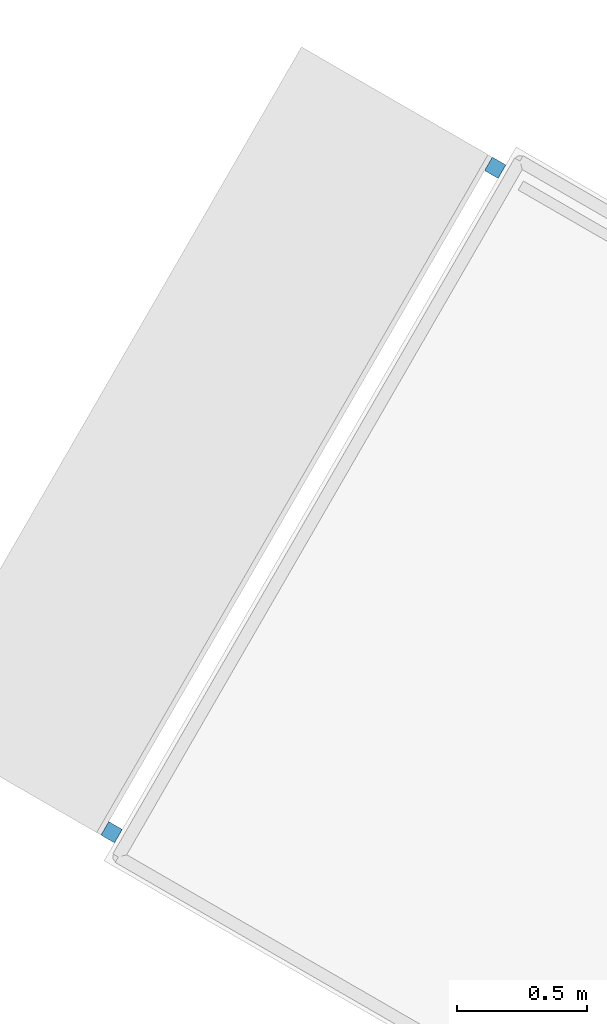
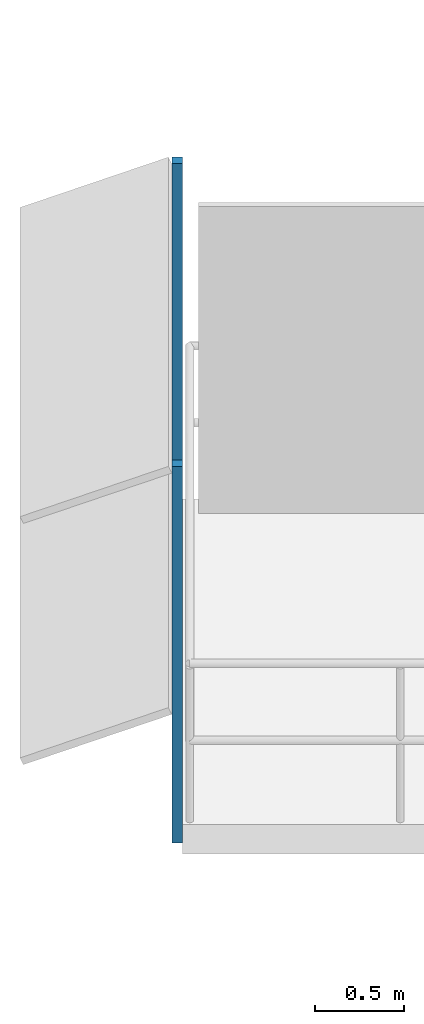
# One storey, part 10 of 14: 2 discrete accessories.
"""IFC4 building model written with IfcOpenShell, lengths in metres."""

from ifc_helpers import new_model, si_unit, direction, frame, origin, origin_2d, place, context, subcontext, project, spatial, rectangle, extrude, material, type_object, element, save


model = new_model("IFC4")

# Units and contexts
model_context = context("Model", 3, precision=1e-05, world=origin(), true_north=direction((0.0, 1.0)))
body_context = subcontext(model_context, "Body", "Model", "MODEL_VIEW")
ifc_project = project(units=[si_unit("LENGTHUNIT", "METRE"), si_unit("AREAUNIT", "SQUARE_METRE"), si_unit("VOLUMEUNIT", "CUBIC_METRE"), si_unit("PLANEANGLEUNIT", "RADIAN"), si_unit("MASSUNIT", "GRAM", prefix="KILO")], contexts=[model_context])

# Site, building, storey
site_placement = place(None, origin())
site = spatial("IfcSite", under=ifc_project, at=site_placement, CompositionType="ELEMENT")
building_placement = place(site_placement, origin())
building = spatial("IfcBuilding", under=site, at=building_placement, Name="Nakaniwa Court", CompositionType="ELEMENT")
storey_placement = place(building_placement, frame((0.0, 0.0, 114.0)))
storey = spatial("IfcBuildingStorey", under=building, at=storey_placement, Name="L30", CompositionType="ELEMENT", Elevation=114.0)

# Discrete accessories
ifc_material = material(Name="Black powder-coated steel bracket S275", Category="steel")
discrete_accessory_type = type_object("IfcDiscreteAccessoryType", Name="Black metal louvre bracket", PredefinedType="BRACKET", material=ifc_material)
for number, where, z_axis, x_axis, name in (
    (1, (56.578369140625, 92.29248046875, -0.22998046875), (0.0, 0.0, 1.0), (-0.499974304289, -0.866040238702, 0.0), "L30 louvre bracket 01 1"),
    (2, (55.09814453125, 89.728515625, -0.22998046875), (0.0, 0.0, 1.0), (-0.499974304289, -0.866040238702, 0.0), "L30 louvre bracket 01 2"),
):
    element("IfcDiscreteAccessory", number, at=place(storey_placement, frame(where, z_axis=z_axis, x_axis=x_axis)), inside=storey, type_object=discrete_accessory_type, Name=name, PredefinedType="BRACKET", context=body_context, shape_type="SweptSolid", body=[
        extrude(rectangle(XDim=0.06005859375, YDim=0.06005859375, at=origin_2d()), origin(), (0.0, 0.0, 1.0), 2.5751953125),
    ])

save(model, "model.ifc")
